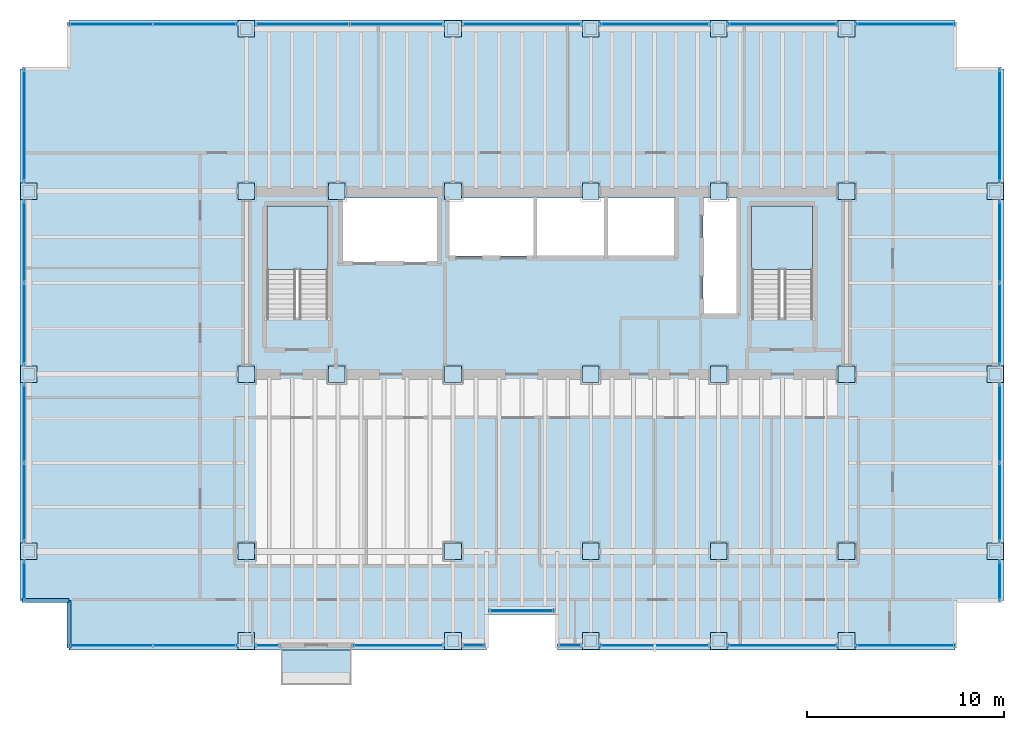
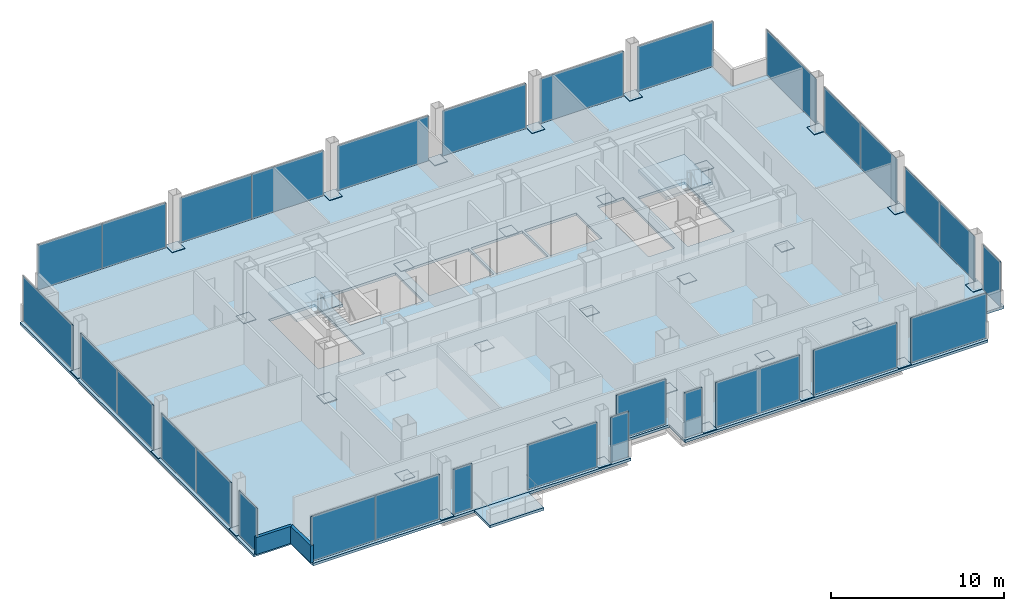
# One storey, part 17 of 21: 63 plates, 4 slabs, 2 walls, 7 openings, 25 elements without a shape of their own.
"""IFC4 building model written with IfcOpenShell, lengths in metres."""

from ifc_helpers import new_model, si_unit, direction, frame, frame_2d, origin, origin_2d, place, context, subcontext, project, spatial, polyline, rectangle, outline, extrude, material, layer, layer_set, type_object, element, aggregate, save


model = new_model("IFC4")

# Units and contexts
model_context = context("Model", 3, precision=1e-05, world=origin(), true_north=direction((0.0, 1.0)))
body_context = subcontext(model_context, "Body", "Model", "MODEL_VIEW")
ifc_project = project(units=[si_unit("LENGTHUNIT", "METRE"), si_unit("AREAUNIT", "SQUARE_METRE"), si_unit("VOLUMEUNIT", "CUBIC_METRE"), si_unit("PLANEANGLEUNIT", "RADIAN"), si_unit("MASSUNIT", "GRAM", prefix="KILO")], contexts=[model_context])

# Site, building, storey
site_placement = place(None, origin())
site = spatial("IfcSite", under=ifc_project, at=site_placement, CompositionType="ELEMENT")
building_placement = place(site_placement, origin())
building = spatial("IfcBuilding", under=site, at=building_placement, Name="Noeulbin Bourse Tower", CompositionType="ELEMENT")
storey_placement = place(building_placement, frame((0.0, 0.0, 38.199951171875)))
storey = spatial("IfcBuildingStorey", under=building, at=storey_placement, Name="L09", CompositionType="ELEMENT", Elevation=38.199951171875)

# Curtain wall, plate
ifc_material_1 = material(Name="Dark Solar-Control Double Glazing", Category="glass")
curtain_wall_type = type_object("IfcCurtainWallType", Name="CW-SYS-2", PredefinedType="NOTDEFINED", material=ifc_material_1)
curtain_wall_1_placement = place(storey_placement, origin())
curtain_wall_1 = element("IfcCurtainWall", 1, at=curtain_wall_1_placement, inside=storey, type_object=curtain_wall_type, Name="Unitised Curtain Wall CW-L09-SREC", PredefinedType="NOTDEFINED")
ifc_layer_1 = layer(ifc_material_1, 0.035888671875)
ifc_layer_set_1 = layer_set([ifc_layer_1], Name="Dark Solar-Control Double Glazing")
plate_type_1 = type_object("IfcPlateType", Name="CW-SYS-2-PNL", PredefinedType="CURTAIN_PANEL", material=ifc_layer_set_1)
plate_1_placement = place(storey_placement, frame((27.5, 16.97998046875, 0.0), z_axis=(0.0, 0.0, 1.0), x_axis=(1.0, 0.0, 0.0)))
plate_1 = element("IfcPlate", 2, at=plate_1_placement, type_object=plate_type_1, Name="Glazed Curtain Panel CW-L09-SREC-P00", PredefinedType="CURTAIN_PANEL", context=body_context, shape_type="SweptSolid", body=[
    extrude(rectangle(XDim=3.300048828125, YDim=0.035888671875, at=origin_2d()), origin(), (0.0, 0.0, 1.0), 3.179931640625),
])
aggregate(curtain_wall_1, [plate_1])

# Curtain wall, plates
curtain_wall_2_placement = place(storey_placement, origin())
curtain_wall_2 = element("IfcCurtainWall", 3, at=curtain_wall_2_placement, inside=storey, type_object=curtain_wall_type, Name="Unitised Curtain Wall CW-L09-S1-S1", PredefinedType="NOTDEFINED")
plate_2_placement = place(storey_placement, frame((6.6201171875, 15.219970703125, 0.0), z_axis=(0.0, 0.0, 1.0), x_axis=(1.0, 0.0, 0.0)))
plate_2 = element("IfcPlate", 4, at=plate_2_placement, type_object=plate_type_1, Name="Glazed Curtain Panel CW-L09-S1-S1-P00", PredefinedType="CURTAIN_PANEL", context=body_context, shape_type="SweptSolid", body=[
    extrude(rectangle(XDim=4.280029296875, YDim=0.035888671875, at=origin_2d()), origin(), (0.0, 0.0, 1.0), 3.179931640625),
])
plate_3_placement = place(storey_placement, frame((10.89990234375, 15.219970703125, 0.0), z_axis=(0.0, 0.0, 1.0), x_axis=(1.0, 0.0, 0.0)))
plate_3 = element("IfcPlate", 5, at=plate_3_placement, type_object=plate_type_1, Name="Glazed Curtain Panel CW-L09-S1-S1-P01", PredefinedType="CURTAIN_PANEL", context=body_context, shape_type="SweptSolid", body=[
    extrude(rectangle(XDim=4.280029296875, YDim=0.035888671875, at=origin_2d()), origin(), (0.0, 0.0, 1.0), 3.179931640625),
])
aggregate(curtain_wall_2, [plate_2, plate_3])

# Curtain wall, plate
curtain_wall_3_placement = place(storey_placement, origin())
curtain_wall_3 = element("IfcCurtainWall", 6, at=curtain_wall_3_placement, inside=storey, type_object=curtain_wall_type, Name="Unitised Curtain Wall CW-L09-S1-S2", PredefinedType="NOTDEFINED")
plate_4_placement = place(storey_placement, frame((14.580078125, 15.219970703125, 0.0), z_axis=(0.0, 0.0, 1.0), x_axis=(1.0, 0.0, 0.0)))
plate_4 = element("IfcPlate", 7, at=plate_4_placement, type_object=plate_type_1, Name="Glazed Curtain Panel CW-L09-S1-S2-P00", PredefinedType="CURTAIN_PANEL", context=body_context, shape_type="SweptSolid", body=[
    extrude(rectangle(XDim=1.239990234375, YDim=0.035888671875, at=origin_2d()), origin(), (0.0, 0.0, 1.0), 3.179931640625),
])
aggregate(curtain_wall_3, [plate_4])

curtain_wall_4_placement = place(storey_placement, origin())
curtain_wall_4 = element("IfcCurtainWall", 8, at=curtain_wall_4_placement, inside=storey, type_object=curtain_wall_type, Name="Unitised Curtain Wall CW-L09-S2-S1", PredefinedType="NOTDEFINED")
plate_5_placement = place(storey_placement, frame((21.219970703125, 15.219970703125, 0.0), z_axis=(0.0, 0.0, 1.0), x_axis=(1.0, 0.0, 0.0)))
plate_5 = element("IfcPlate", 9, at=plate_5_placement, type_object=plate_type_1, Name="Glazed Curtain Panel CW-L09-S2-S1-P00", PredefinedType="CURTAIN_PANEL", context=body_context, shape_type="SweptSolid", body=[
    extrude(rectangle(XDim=4.639892578125, YDim=0.035888671875, at=origin_2d()), origin(), (0.0, 0.0, 1.0), 3.179931640625),
])
aggregate(curtain_wall_4, [plate_5])

curtain_wall_5_placement = place(storey_placement, origin())
curtain_wall_5 = element("IfcCurtainWall", 10, at=curtain_wall_5_placement, inside=storey, type_object=curtain_wall_type, Name="Unitised Curtain Wall CW-L09-S2-S2", PredefinedType="NOTDEFINED")
plate_6_placement = place(storey_placement, frame((25.054931640625, 15.219970703125, 0.0), z_axis=(0.0, 0.0, 1.0), x_axis=(1.0, 0.0, 0.0)))
plate_6 = element("IfcPlate", 11, at=plate_6_placement, type_object=plate_type_1, Name="Glazed Curtain Panel CW-L09-S2-S2-P00", PredefinedType="CURTAIN_PANEL", context=body_context, shape_type="SweptSolid", body=[
    extrude(rectangle(XDim=1.18994140625, YDim=0.035888671875, at=origin_2d()), origin(), (0.0, 0.0, 1.0), 3.179931640625),
])
aggregate(curtain_wall_5, [plate_6])

curtain_wall_6_placement = place(storey_placement, origin())
curtain_wall_6 = element("IfcCurtainWall", 12, at=curtain_wall_6_placement, inside=storey, type_object=curtain_wall_type, Name="Unitised Curtain Wall CW-L09-S3-S1", PredefinedType="NOTDEFINED")
plate_7_placement = place(storey_placement, frame((29.945068359375, 15.219970703125, 0.0), z_axis=(0.0, 0.0, 1.0), x_axis=(1.0, 0.0, 0.0)))
plate_7 = element("IfcPlate", 13, at=plate_7_placement, type_object=plate_type_1, Name="Glazed Curtain Panel CW-L09-S3-S1-P00", PredefinedType="CURTAIN_PANEL", context=body_context, shape_type="SweptSolid", body=[
    extrude(rectangle(XDim=1.18994140625, YDim=0.035888671875, at=origin_2d()), origin(), (0.0, 0.0, 1.0), 3.179931640625),
])
aggregate(curtain_wall_6, [plate_7])

curtain_wall_7_placement = place(storey_placement, origin())
curtain_wall_7 = element("IfcCurtainWall", 14, at=curtain_wall_7_placement, inside=storey, type_object=curtain_wall_type, Name="Unitised Curtain Wall CW-L09-S3-S2", PredefinedType="NOTDEFINED")
plate_8_placement = place(storey_placement, frame((34.25, 15.219970703125, 0.0), z_axis=(0.0, 0.0, 1.0), x_axis=(1.0, 0.0, 0.0)))
plate_8 = element("IfcPlate", 15, at=plate_8_placement, type_object=plate_type_1, Name="Glazed Curtain Panel CW-L09-S3-S2-P00", PredefinedType="CURTAIN_PANEL", context=body_context, shape_type="SweptSolid", body=[
    extrude(rectangle(XDim=5.580078125, YDim=0.035888671875, at=origin_2d()), origin(), (0.0, 0.0, 1.0), 3.179931640625),
])
aggregate(curtain_wall_7, [plate_8])

curtain_wall_8_placement = place(storey_placement, origin())
curtain_wall_8 = element("IfcCurtainWall", 16, at=curtain_wall_8_placement, inside=storey, type_object=curtain_wall_type, Name="Unitised Curtain Wall CW-L09-S3-S3", PredefinedType="NOTDEFINED")
plate_9_placement = place(storey_placement, frame((40.75, 15.219970703125, 0.0), z_axis=(0.0, 0.0, 1.0), x_axis=(1.0, 0.0, 0.0)))
plate_9 = element("IfcPlate", 17, at=plate_9_placement, type_object=plate_type_1, Name="Glazed Curtain Panel CW-L09-S3-S3-P00", PredefinedType="CURTAIN_PANEL", context=body_context, shape_type="SweptSolid", body=[
    extrude(rectangle(XDim=5.580078125, YDim=0.035888671875, at=origin_2d()), origin(), (0.0, 0.0, 1.0), 3.179931640625),
])
aggregate(curtain_wall_8, [plate_9])

curtain_wall_9_placement = place(storey_placement, origin())
curtain_wall_9 = element("IfcCurtainWall", 18, at=curtain_wall_9_placement, inside=storey, type_object=curtain_wall_type, Name="Unitised Curtain Wall CW-L09-S3-S4", PredefinedType="NOTDEFINED")
plate_10_placement = place(storey_placement, frame((46.989990234375, 15.219970703125, 0.0), z_axis=(0.0, 0.0, 1.0), x_axis=(1.0, 0.0, 0.0)))
plate_10 = element("IfcPlate", 19, at=plate_10_placement, type_object=plate_type_1, Name="Glazed Curtain Panel CW-L09-S3-S4-P00", PredefinedType="CURTAIN_PANEL", context=body_context, shape_type="SweptSolid", body=[
    extrude(rectangle(XDim=5.06005859375, YDim=0.035888671875, at=origin_2d()), origin(), (0.0, 0.0, 1.0), 3.179931640625),
])
aggregate(curtain_wall_9, [plate_10])

# Curtain wall, plates
curtain_wall_10_placement = place(storey_placement, origin())
curtain_wall_10 = element("IfcCurtainWall", 20, at=curtain_wall_10_placement, inside=storey, type_object=curtain_wall_type, Name="Unitised Curtain Wall CW-L09-N-S1", PredefinedType="NOTDEFINED")
plate_11_placement = place(storey_placement, frame((6.6201171875, 46.780029296875, 0.0), z_axis=(0.0, 0.0, 1.0), x_axis=(1.0, 0.0, 0.0)))
plate_11 = element("IfcPlate", 21, at=plate_11_placement, type_object=plate_type_1, Name="Glazed Curtain Panel CW-L09-N-S1-P00", PredefinedType="CURTAIN_PANEL", context=body_context, shape_type="SweptSolid", body=[
    extrude(rectangle(XDim=4.280029296875, YDim=0.035888671875, at=origin_2d()), origin(), (0.0, 0.0, 1.0), 3.179931640625),
])
plate_12_placement = place(storey_placement, frame((10.89990234375, 46.780029296875, 0.0), z_axis=(0.0, 0.0, 1.0), x_axis=(1.0, 0.0, 0.0)))
plate_12 = element("IfcPlate", 22, at=plate_12_placement, type_object=plate_type_1, Name="Glazed Curtain Panel CW-L09-N-S1-P01", PredefinedType="CURTAIN_PANEL", context=body_context, shape_type="SweptSolid", body=[
    extrude(rectangle(XDim=4.280029296875, YDim=0.035888671875, at=origin_2d()), origin(), (0.0, 0.0, 1.0), 3.179931640625),
])
aggregate(curtain_wall_10, [plate_11, plate_12])

curtain_wall_11_placement = place(storey_placement, origin())
curtain_wall_11 = element("IfcCurtainWall", 23, at=curtain_wall_11_placement, inside=storey, type_object=curtain_wall_type, Name="Unitised Curtain Wall CW-L09-N-S2", PredefinedType="NOTDEFINED")
plate_13_placement = place(storey_placement, frame((16.35498046875, 46.780029296875, 0.0), z_axis=(0.0, 0.0, 1.0), x_axis=(1.0, 0.0, 0.0)))
plate_13 = element("IfcPlate", 24, at=plate_13_placement, type_object=plate_type_1, Name="Glazed Curtain Panel CW-L09-N-S2-P00", PredefinedType="CURTAIN_PANEL", context=body_context, shape_type="SweptSolid", body=[
    extrude(rectangle(XDim=4.7900390625, YDim=0.035888671875, at=origin_2d()), origin(), (0.0, 0.0, 1.0), 3.179931640625),
])
plate_14_placement = place(storey_placement, frame((21.14501953125, 46.780029296875, 0.0), z_axis=(0.0, 0.0, 1.0), x_axis=(1.0, 0.0, 0.0)))
plate_14 = element("IfcPlate", 25, at=plate_14_placement, type_object=plate_type_1, Name="Glazed Curtain Panel CW-L09-N-S2-P01", PredefinedType="CURTAIN_PANEL", context=body_context, shape_type="SweptSolid", body=[
    extrude(rectangle(XDim=4.7900390625, YDim=0.035888671875, at=origin_2d()), origin(), (0.0, 0.0, 1.0), 3.179931640625),
])
aggregate(curtain_wall_11, [plate_13, plate_14])

# Curtain wall, plate
curtain_wall_12_placement = place(storey_placement, origin())
curtain_wall_12 = element("IfcCurtainWall", 26, at=curtain_wall_12_placement, inside=storey, type_object=curtain_wall_type, Name="Unitised Curtain Wall CW-L09-N-S3", PredefinedType="NOTDEFINED")
plate_15_placement = place(storey_placement, frame((27.5, 46.780029296875, 0.0), z_axis=(0.0, 0.0, 1.0), x_axis=(1.0, 0.0, 0.0)))
plate_15 = element("IfcPlate", 27, at=plate_15_placement, type_object=plate_type_1, Name="Glazed Curtain Panel CW-L09-N-S3-P00", PredefinedType="CURTAIN_PANEL", context=body_context, shape_type="SweptSolid", body=[
    extrude(rectangle(XDim=6.080078125, YDim=0.035888671875, at=origin_2d()), origin(), (0.0, 0.0, 1.0), 3.179931640625),
])
aggregate(curtain_wall_12, [plate_15])

curtain_wall_13_placement = place(storey_placement, origin())
curtain_wall_13 = element("IfcCurtainWall", 28, at=curtain_wall_13_placement, inside=storey, type_object=curtain_wall_type, Name="Unitised Curtain Wall CW-L09-N-S4", PredefinedType="NOTDEFINED")
plate_16_placement = place(storey_placement, frame((34.25, 46.780029296875, 0.0), z_axis=(0.0, 0.0, 1.0), x_axis=(1.0, 0.0, 0.0)))
plate_16 = element("IfcPlate", 29, at=plate_16_placement, type_object=plate_type_1, Name="Glazed Curtain Panel CW-L09-N-S4-P00", PredefinedType="CURTAIN_PANEL", context=body_context, shape_type="SweptSolid", body=[
    extrude(rectangle(XDim=5.580078125, YDim=0.035888671875, at=origin_2d()), origin(), (0.0, 0.0, 1.0), 3.179931640625),
])
aggregate(curtain_wall_13, [plate_16])

curtain_wall_14_placement = place(storey_placement, origin())
curtain_wall_14 = element("IfcCurtainWall", 30, at=curtain_wall_14_placement, inside=storey, type_object=curtain_wall_type, Name="Unitised Curtain Wall CW-L09-N-S5", PredefinedType="NOTDEFINED")
plate_17_placement = place(storey_placement, frame((40.75, 46.780029296875, 0.0), z_axis=(0.0, 0.0, 1.0), x_axis=(1.0, 0.0, 0.0)))
plate_17 = element("IfcPlate", 31, at=plate_17_placement, type_object=plate_type_1, Name="Glazed Curtain Panel CW-L09-N-S5-P00", PredefinedType="CURTAIN_PANEL", context=body_context, shape_type="SweptSolid", body=[
    extrude(rectangle(XDim=5.580078125, YDim=0.035888671875, at=origin_2d()), origin(), (0.0, 0.0, 1.0), 3.179931640625),
])
aggregate(curtain_wall_14, [plate_17])

curtain_wall_15_placement = place(storey_placement, origin())
curtain_wall_15 = element("IfcCurtainWall", 32, at=curtain_wall_15_placement, inside=storey, type_object=curtain_wall_type, Name="Unitised Curtain Wall CW-L09-N-S6", PredefinedType="NOTDEFINED")
plate_18_placement = place(storey_placement, frame((46.989990234375, 46.780029296875, 0.0), z_axis=(0.0, 0.0, 1.0), x_axis=(1.0, 0.0, 0.0)))
plate_18 = element("IfcPlate", 33, at=plate_18_placement, type_object=plate_type_1, Name="Glazed Curtain Panel CW-L09-N-S6-P00", PredefinedType="CURTAIN_PANEL", context=body_context, shape_type="SweptSolid", body=[
    extrude(rectangle(XDim=5.06005859375, YDim=0.035888671875, at=origin_2d()), origin(), (0.0, 0.0, 1.0), 3.179931640625),
])
aggregate(curtain_wall_15, [plate_18])

curtain_wall_16_placement = place(storey_placement, origin())
curtain_wall_16 = element("IfcCurtainWall", 34, at=curtain_wall_16_placement, inside=storey, type_object=curtain_wall_type, Name="Unitised Curtain Wall CW-L09-W-S1", PredefinedType="NOTDEFINED")
plate_19_placement = place(storey_placement, frame((2.219970703125, 18.510009765625, 0.0), z_axis=(0.0, 0.0, 1.0), x_axis=(0.0, 1.0, 0.0)))
plate_19 = element("IfcPlate", 35, at=plate_19_placement, type_object=plate_type_1, Name="Glazed Curtain Panel CW-L09-W-S1-P00", PredefinedType="CURTAIN_PANEL", context=body_context, shape_type="SweptSolid", body=[
    extrude(rectangle(XDim=2.06005859375, YDim=0.035888671875, at=origin_2d()), origin(), (0.0, 0.0, 1.0), 3.179931640625),
])
aggregate(curtain_wall_16, [plate_19])

# Curtain wall, plates
curtain_wall_17_placement = place(storey_placement, origin())
curtain_wall_17 = element("IfcCurtainWall", 36, at=curtain_wall_17_placement, inside=storey, type_object=curtain_wall_type, Name="Unitised Curtain Wall CW-L09-W-S2", PredefinedType="NOTDEFINED")
plate_20_placement = place(storey_placement, frame((2.219970703125, 22.47998046875, 0.0), z_axis=(0.0, 0.0, 1.0), x_axis=(0.0, 1.0, 0.0)))
plate_20 = element("IfcPlate", 37, at=plate_20_placement, type_object=plate_type_1, Name="Glazed Curtain Panel CW-L09-W-S2-P00", PredefinedType="CURTAIN_PANEL", context=body_context, shape_type="SweptSolid", body=[
    extrude(rectangle(XDim=4.0400390625, YDim=0.035888671875, at=origin_2d()), origin(), (0.0, 0.0, 1.0), 3.179931640625),
])
plate_21_placement = place(storey_placement, frame((2.219970703125, 26.52001953125, 0.0), z_axis=(0.0, 0.0, 1.0), x_axis=(0.0, 1.0, 0.0)))
plate_21 = element("IfcPlate", 38, at=plate_21_placement, type_object=plate_type_1, Name="Glazed Curtain Panel CW-L09-W-S2-P01", PredefinedType="CURTAIN_PANEL", context=body_context, shape_type="SweptSolid", body=[
    extrude(rectangle(XDim=4.0400390625, YDim=0.035888671875, at=origin_2d()), origin(), (0.0, 0.0, 1.0), 3.179931640625),
])
aggregate(curtain_wall_17, [plate_20, plate_21])

curtain_wall_18_placement = place(storey_placement, origin())
curtain_wall_18 = element("IfcCurtainWall", 39, at=curtain_wall_18_placement, inside=storey, type_object=curtain_wall_type, Name="Unitised Curtain Wall CW-L09-W-S3", PredefinedType="NOTDEFINED")
plate_22_placement = place(storey_placement, frame((2.219970703125, 31.554931640625, 0.0), z_axis=(0.0, 0.0, 1.0), x_axis=(0.0, 1.0, 0.0)))
plate_22 = element("IfcPlate", 40, at=plate_22_placement, type_object=plate_type_1, Name="Glazed Curtain Panel CW-L09-W-S3-P00", PredefinedType="CURTAIN_PANEL", context=body_context, shape_type="SweptSolid", body=[
    extrude(rectangle(XDim=4.18994140625, YDim=0.035888671875, at=origin_2d()), origin(), (0.0, 0.0, 1.0), 3.179931640625),
])
plate_23_placement = place(storey_placement, frame((2.219970703125, 35.7451171875, 0.0), z_axis=(0.0, 0.0, 1.0), x_axis=(0.0, 1.0, 0.0)))
plate_23 = element("IfcPlate", 41, at=plate_23_placement, type_object=plate_type_1, Name="Glazed Curtain Panel CW-L09-W-S3-P01", PredefinedType="CURTAIN_PANEL", context=body_context, shape_type="SweptSolid", body=[
    extrude(rectangle(XDim=4.18994140625, YDim=0.035888671875, at=origin_2d()), origin(), (0.0, 0.0, 1.0), 3.179931640625),
])
aggregate(curtain_wall_18, [plate_22, plate_23])

# Curtain wall, plate
curtain_wall_19_placement = place(storey_placement, origin())
curtain_wall_19 = element("IfcCurtainWall", 42, at=curtain_wall_19_placement, inside=storey, type_object=curtain_wall_type, Name="Unitised Curtain Wall CW-L09-W-S4", PredefinedType="NOTDEFINED")
plate_24_placement = place(storey_placement, frame((2.219970703125, 41.639892578125, 0.0), z_axis=(0.0, 0.0, 1.0), x_axis=(0.0, 1.0, 0.0)))
plate_24 = element("IfcPlate", 43, at=plate_24_placement, type_object=plate_type_1, Name="Glazed Curtain Panel CW-L09-W-S4-P00", PredefinedType="CURTAIN_PANEL", context=body_context, shape_type="SweptSolid", body=[
    extrude(rectangle(XDim=5.760009765625, YDim=0.035888671875, at=origin_2d()), origin(), (0.0, 0.0, 1.0), 3.179931640625),
])
aggregate(curtain_wall_19, [plate_24])

curtain_wall_20_placement = place(storey_placement, origin())
curtain_wall_20 = element("IfcCurtainWall", 44, at=curtain_wall_20_placement, inside=storey, type_object=curtain_wall_type, Name="Unitised Curtain Wall CW-L09-E-S1", PredefinedType="NOTDEFINED")
plate_25_placement = place(storey_placement, frame((51.780029296875, 18.510009765625, 0.0), z_axis=(0.0, 0.0, 1.0), x_axis=(0.0, 1.0, 0.0)))
plate_25 = element("IfcPlate", 45, at=plate_25_placement, type_object=plate_type_1, Name="Glazed Curtain Panel CW-L09-E-S1-P00", PredefinedType="CURTAIN_PANEL", context=body_context, shape_type="SweptSolid", body=[
    extrude(rectangle(XDim=2.06005859375, YDim=0.035888671875, at=origin_2d()), origin(), (0.0, 0.0, 1.0), 3.179931640625),
])
aggregate(curtain_wall_20, [plate_25])

# Curtain wall, plates
curtain_wall_21_placement = place(storey_placement, origin())
curtain_wall_21 = element("IfcCurtainWall", 46, at=curtain_wall_21_placement, inside=storey, type_object=curtain_wall_type, Name="Unitised Curtain Wall CW-L09-E-S2", PredefinedType="NOTDEFINED")
plate_26_placement = place(storey_placement, frame((51.780029296875, 22.47998046875, 0.0), z_axis=(0.0, 0.0, 1.0), x_axis=(0.0, 1.0, 0.0)))
plate_26 = element("IfcPlate", 47, at=plate_26_placement, type_object=plate_type_1, Name="Glazed Curtain Panel CW-L09-E-S2-P00", PredefinedType="CURTAIN_PANEL", context=body_context, shape_type="SweptSolid", body=[
    extrude(rectangle(XDim=4.0400390625, YDim=0.035888671875, at=origin_2d()), origin(), (0.0, 0.0, 1.0), 3.179931640625),
])
plate_27_placement = place(storey_placement, frame((51.780029296875, 26.52001953125, 0.0), z_axis=(0.0, 0.0, 1.0), x_axis=(0.0, 1.0, 0.0)))
plate_27 = element("IfcPlate", 48, at=plate_27_placement, type_object=plate_type_1, Name="Glazed Curtain Panel CW-L09-E-S2-P01", PredefinedType="CURTAIN_PANEL", context=body_context, shape_type="SweptSolid", body=[
    extrude(rectangle(XDim=4.0400390625, YDim=0.035888671875, at=origin_2d()), origin(), (0.0, 0.0, 1.0), 3.179931640625),
])
aggregate(curtain_wall_21, [plate_26, plate_27])

curtain_wall_22_placement = place(storey_placement, origin())
curtain_wall_22 = element("IfcCurtainWall", 49, at=curtain_wall_22_placement, inside=storey, type_object=curtain_wall_type, Name="Unitised Curtain Wall CW-L09-E-S3", PredefinedType="NOTDEFINED")
plate_28_placement = place(storey_placement, frame((51.780029296875, 31.554931640625, 0.0), z_axis=(0.0, 0.0, 1.0), x_axis=(0.0, 1.0, 0.0)))
plate_28 = element("IfcPlate", 50, at=plate_28_placement, type_object=plate_type_1, Name="Glazed Curtain Panel CW-L09-E-S3-P00", PredefinedType="CURTAIN_PANEL", context=body_context, shape_type="SweptSolid", body=[
    extrude(rectangle(XDim=4.18994140625, YDim=0.035888671875, at=origin_2d()), origin(), (0.0, 0.0, 1.0), 3.179931640625),
])
plate_29_placement = place(storey_placement, frame((51.780029296875, 35.7451171875, 0.0), z_axis=(0.0, 0.0, 1.0), x_axis=(0.0, 1.0, 0.0)))
plate_29 = element("IfcPlate", 51, at=plate_29_placement, type_object=plate_type_1, Name="Glazed Curtain Panel CW-L09-E-S3-P01", PredefinedType="CURTAIN_PANEL", context=body_context, shape_type="SweptSolid", body=[
    extrude(rectangle(XDim=4.18994140625, YDim=0.035888671875, at=origin_2d()), origin(), (0.0, 0.0, 1.0), 3.179931640625),
])
aggregate(curtain_wall_22, [plate_28, plate_29])

# Curtain wall, plate
curtain_wall_23_placement = place(storey_placement, origin())
curtain_wall_23 = element("IfcCurtainWall", 52, at=curtain_wall_23_placement, inside=storey, type_object=curtain_wall_type, Name="Unitised Curtain Wall CW-L09-E-S4", PredefinedType="NOTDEFINED")
plate_30_placement = place(storey_placement, frame((51.780029296875, 41.639892578125, 0.0), z_axis=(0.0, 0.0, 1.0), x_axis=(0.0, 1.0, 0.0)))
plate_30 = element("IfcPlate", 53, at=plate_30_placement, type_object=plate_type_1, Name="Glazed Curtain Panel CW-L09-E-S4-P00", PredefinedType="CURTAIN_PANEL", context=body_context, shape_type="SweptSolid", body=[
    extrude(rectangle(XDim=5.760009765625, YDim=0.035888671875, at=origin_2d()), origin(), (0.0, 0.0, 1.0), 3.179931640625),
])
aggregate(curtain_wall_23, [plate_30])

# Plates
ifc_material_2 = material(Name="Steel S355", Category="steel")
ifc_layer_2 = layer(ifc_material_2, 0.030029296875)
ifc_layer_set_2 = layer_set([ifc_layer_2], Name="Steel S355")
plate_type_2 = type_object("IfcPlateType", Name="PLT-BN1", PredefinedType="USERDEFINED", material=ifc_layer_set_2)
for number, where, z_axis, x_axis, name in (
    (54, (13.5, 29.0, 0.0048828125), (0.0, 0.0, 1.0), (1.0, 0.0, 0.0), "Mega-Column Splice Plate BN1-L09-01"),
    (55, (13.5, 38.300048828125, 0.0048828125), (0.0, 0.0, 1.0), (1.0, 0.0, 0.0), "Mega-Column Splice Plate BN1-L09-02"),
    (56, (18.10009765625, 29.0, 0.0048828125), (0.0, 0.0, 1.0), (1.0, 0.0, 0.0), "Mega-Column Splice Plate BN1-L09-03"),
    (57, (18.10009765625, 38.300048828125, 0.0048828125), (0.0, 0.0, 1.0), (1.0, 0.0, 0.0), "Mega-Column Splice Plate BN1-L09-04"),
    (58, (24.0, 29.0, 0.0048828125), (0.0, 0.0, 1.0), (1.0, 0.0, 0.0), "Mega-Column Splice Plate BN1-L09-05"),
    (59, (24.0, 38.300048828125, 0.0048828125), (0.0, 0.0, 1.0), (1.0, 0.0, 0.0), "Mega-Column Splice Plate BN1-L09-06"),
    (60, (31.0, 29.0, 0.0048828125), (0.0, 0.0, 1.0), (1.0, 0.0, 0.0), "Mega-Column Splice Plate BN1-L09-07"),
    (61, (31.0, 38.300048828125, 0.0048828125), (0.0, 0.0, 1.0), (1.0, 0.0, 0.0), "Mega-Column Splice Plate BN1-L09-08"),
    (62, (37.5, 29.0, 0.0048828125), (0.0, 0.0, 1.0), (1.0, 0.0, 0.0), "Mega-Column Splice Plate BN1-L09-09"),
    (63, (37.5, 38.300048828125, 0.0048828125), (0.0, 0.0, 1.0), (1.0, 0.0, 0.0), "Mega-Column Splice Plate BN1-L09-10"),
    (64, (44.0, 29.0, 0.0048828125), (0.0, 0.0, 1.0), (1.0, 0.0, 0.0), "Mega-Column Splice Plate BN1-L09-11"),
    (65, (44.0, 38.300048828125, 0.0048828125), (0.0, 0.0, 1.0), (1.0, 0.0, 0.0), "Mega-Column Splice Plate BN1-L09-12"),
    (66, (13.5, 20.0, 0.0048828125), (0.0, 0.0, 1.0), (1.0, 0.0, 0.0), "Mega-Column Splice Plate BN1-L09-13"),
    (67, (24.0, 20.0, 0.0048828125), (0.0, 0.0, 1.0), (1.0, 0.0, 0.0), "Mega-Column Splice Plate BN1-L09-14"),
    (68, (31.0, 20.0, 0.0048828125), (0.0, 0.0, 1.0), (1.0, 0.0, 0.0), "Mega-Column Splice Plate BN1-L09-15"),
    (69, (37.5, 20.0, 0.0048828125), (0.0, 0.0, 1.0), (1.0, 0.0, 0.0), "Mega-Column Splice Plate BN1-L09-16"),
    (70, (44.0, 20.0, 0.0048828125), (0.0, 0.0, 1.0), (1.0, 0.0, 0.0), "Mega-Column Splice Plate BN1-L09-17"),
    (71, (2.449951171875, 20.0, 0.0048828125), (0.0, 0.0, 1.0), (1.0, 0.0, 0.0), "Perimeter Column Splice Plate BN1-L09-01"),
    (72, (2.449951171875, 29.0, 0.0048828125), (0.0, 0.0, 1.0), (1.0, 0.0, 0.0), "Perimeter Column Splice Plate BN1-L09-02"),
    (73, (2.449951171875, 38.300048828125, 0.0048828125), (0.0, 0.0, 1.0), (1.0, 0.0, 0.0), "Perimeter Column Splice Plate BN1-L09-03"),
    (74, (13.5, 15.449951171875, 0.0048828125), (0.0, 0.0, 1.0), (1.0, 0.0, 0.0), "Perimeter Column Splice Plate BN1-L09-04"),
    (75, (13.5, 46.550048828125, 0.0048828125), (0.0, 0.0, 1.0), (1.0, 0.0, 0.0), "Perimeter Column Splice Plate BN1-L09-05"),
    (76, (24.0, 15.449951171875, 0.0048828125), (0.0, 0.0, 1.0), (1.0, 0.0, 0.0), "Perimeter Column Splice Plate BN1-L09-06"),
    (77, (24.0, 46.550048828125, 0.0048828125), (0.0, 0.0, 1.0), (1.0, 0.0, 0.0), "Perimeter Column Splice Plate BN1-L09-07"),
    (78, (31.0, 15.449951171875, 0.0048828125), (0.0, 0.0, 1.0), (1.0, 0.0, 0.0), "Perimeter Column Splice Plate BN1-L09-08"),
    (79, (31.0, 46.550048828125, 0.0048828125), (0.0, 0.0, 1.0), (1.0, 0.0, 0.0), "Perimeter Column Splice Plate BN1-L09-09"),
    (80, (37.5, 15.449951171875, 0.0048828125), (0.0, 0.0, 1.0), (1.0, 0.0, 0.0), "Perimeter Column Splice Plate BN1-L09-10"),
    (81, (37.5, 46.550048828125, 0.0048828125), (0.0, 0.0, 1.0), (1.0, 0.0, 0.0), "Perimeter Column Splice Plate BN1-L09-11"),
    (82, (44.0, 15.449951171875, 0.0048828125), (0.0, 0.0, 1.0), (1.0, 0.0, 0.0), "Perimeter Column Splice Plate BN1-L09-12"),
    (83, (44.0, 46.550048828125, 0.0048828125), (0.0, 0.0, 1.0), (1.0, 0.0, 0.0), "Perimeter Column Splice Plate BN1-L09-13"),
    (84, (51.550048828125, 20.0, 0.0048828125), (0.0, 0.0, 1.0), (1.0, 0.0, 0.0), "Perimeter Column Splice Plate BN1-L09-14"),
    (85, (51.550048828125, 29.0, 0.0048828125), (0.0, 0.0, 1.0), (1.0, 0.0, 0.0), "Perimeter Column Splice Plate BN1-L09-15"),
    (86, (51.550048828125, 38.300048828125, 0.0048828125), (0.0, 0.0, 1.0), (1.0, 0.0, 0.0), "Perimeter Column Splice Plate BN1-L09-16"),
):
    element("IfcPlate", number, at=place(storey_placement, frame(where, z_axis=z_axis, x_axis=x_axis)), inside=storey, type_object=plate_type_2, Name=name, ObjectType="SPLICE PLATE", PredefinedType="USERDEFINED", context=body_context, shape_type="SweptSolid", body=[
        extrude(rectangle(XDim=0.85009765625, YDim=0.85009765625, at=origin_2d()), origin(), (0.0, 0.0, 1.0), 0.030029296875),
    ])

# Stair, slab
ifc_material_3 = material(Name="Concrete C40/50", Category="concrete")
stair_type = type_object("IfcStairType", Name="STR-CORE-1560", PredefinedType="HALF_TURN_STAIR", material=ifc_material_3)
stair_1_placement = place(storey_placement, origin())
stair_1 = element("IfcStair", 87, at=stair_1_placement, inside=storey, type_object=stair_type, Name="L09 ST-1", PredefinedType="HALF_TURN_STAIR")
ifc_layer_3 = layer(ifc_material_3, 0.199951171875)
ifc_layer_set_3 = layer_set([ifc_layer_3], Name="Concrete C40/50")
slab_type_1 = type_object("IfcSlabType", Name="SLB-LND-200", PredefinedType="LANDING", material=ifc_layer_set_3)
slab_1_placement = place(storey_placement, frame((0.0, 0.0, 1.75)))
slab_1 = element("IfcSlab", 88, at=slab_1_placement, type_object=slab_type_1, Name="ST-1 landing 1", PredefinedType="LANDING", context=body_context, shape_type="SweptSolid", body=[
    extrude(outline(polyline([(17.64990234375, 34.330078125), (17.64990234375, 37.5439453125), (14.550048828125, 37.5439453125), (14.550048828125, 34.330078125), (17.64990234375, 34.330078125)])), origin(), (0.0, 0.0, 1.0), 0.199951171875),
])
aggregate(stair_1, [slab_1])

stair_2_placement = place(storey_placement, origin())
stair_2 = element("IfcStair", 89, at=stair_2_placement, inside=storey, type_object=stair_type, Name="L09 ST-2", PredefinedType="HALF_TURN_STAIR")
slab_2_placement = place(storey_placement, frame((0.0, 0.0, 1.75)))
slab_2 = element("IfcSlab", 90, at=slab_2_placement, type_object=slab_type_1, Name="ST-2 landing 1", PredefinedType="LANDING", context=body_context, shape_type="SweptSolid", body=[
    extrude(outline(polyline([(42.280029296875, 34.330078125), (42.280029296875, 37.5439453125), (39.179931640625, 37.5439453125), (39.179931640625, 34.330078125), (42.280029296875, 34.330078125)])), origin(), (0.0, 0.0, 1.0), 0.199951171875),
])
aggregate(stair_2, [slab_2])

# Slab, openings
ifc_layer_4 = layer(ifc_material_3, 0.179931640625)
ifc_layer_set_4 = layer_set([ifc_layer_4], Name="Concrete C40/50")
slab_type_2 = type_object("IfcSlabType", Name="SLB-TYP-180", PredefinedType="FLOOR", material=ifc_layer_set_4)
slab_3_placement = place(storey_placement, frame((0.0, 0.0, -0.179931640625)))
slab_3 = element("IfcSlab", 91, at=slab_3_placement, inside=storey, type_object=slab_type_2, Name="Tower Structural Floor Slab L09", PredefinedType="FLOOR", context=body_context, shape_type="SweptSolid", body=[
    extrude(outline(polyline([(4.5, 15.0), (25.699951171875, 15.0), (25.699951171875, 16.800048828125), (29.300048828125, 16.800048828125), (29.300048828125, 15.0), (49.5, 15.0), (49.5, 17.5), (52.0, 17.5), (52.0, 44.5), (49.5, 44.5), (49.5, 47.0), (4.5, 47.0), (4.5, 44.5), (2.0, 44.5), (2.0, 17.5), (4.5, 17.5), (4.5, 15.0)]), holes=[polyline([(17.64990234375, 31.81005859375), (17.64990234375, 37.5439453125), (14.550048828125, 37.5439453125), (14.550048828125, 31.81005859375), (17.64990234375, 31.81005859375)]), polyline([(42.280029296875, 31.81005859375), (42.280029296875, 37.5439453125), (39.179931640625, 37.5439453125), (39.179931640625, 31.81005859375), (42.280029296875, 31.81005859375)]), polyline([(18.35009765625, 34.699951171875), (23.25, 34.699951171875), (23.25, 37.949951171875), (18.35009765625, 37.949951171875), (18.35009765625, 34.699951171875)]), polyline([(36.699951171875, 32.050048828125), (38.449951171875, 32.050048828125), (38.449951171875, 37.949951171875), (36.699951171875, 37.949951171875), (36.699951171875, 32.050048828125)]), polyline([(23.800048828125, 35.0), (28.10009765625, 35.0), (28.10009765625, 37.949951171875), (23.800048828125, 37.949951171875), (23.800048828125, 35.0)]), polyline([(28.25, 35.0), (31.699951171875, 35.0), (31.699951171875, 37.949951171875), (28.25, 37.949951171875), (28.25, 35.0)]), polyline([(31.85009765625, 35.0), (35.300048828125, 35.0), (35.300048828125, 37.949951171875), (31.85009765625, 37.949951171875), (31.85009765625, 35.0)])]), origin(), (0.0, 0.0, 1.0), 0.179931640625),
])
opening_1_placement = place(slab_3_placement, frame((0.0, 0.0, -0.010009765625)))
element("IfcOpeningElement", 92, at=opening_1_placement, cuts=slab_3, Name="Slab Shaft Opening SLB-L09-TWR-1", PredefinedType="OPENING", context=body_context, shape_type="SweptSolid", body=[
    extrude(outline(polyline([(17.64990234375, 31.81005859375), (17.64990234375, 37.5439453125), (14.550048828125, 37.5439453125), (14.550048828125, 31.81005859375), (17.64990234375, 31.81005859375)])), origin(), (0.0, 0.0, 1.0), 0.199951171875),
])
opening_2_placement = place(slab_3_placement, frame((0.0, 0.0, -0.010009765625)))
element("IfcOpeningElement", 93, at=opening_2_placement, cuts=slab_3, Name="Slab Shaft Opening SLB-L09-TWR-2", PredefinedType="OPENING", context=body_context, shape_type="SweptSolid", body=[
    extrude(outline(polyline([(42.280029296875, 31.81005859375), (42.280029296875, 37.5439453125), (39.179931640625, 37.5439453125), (39.179931640625, 31.81005859375), (42.280029296875, 31.81005859375)])), origin(), (0.0, 0.0, 1.0), 0.199951171875),
])
opening_3_placement = place(slab_3_placement, frame((0.0, 0.0, -0.010009765625)))
element("IfcOpeningElement", 94, at=opening_3_placement, cuts=slab_3, Name="Slab Shaft Opening SLB-L09-TWR-3", PredefinedType="OPENING", context=body_context, shape_type="SweptSolid", body=[
    extrude(outline(polyline([(18.35009765625, 34.699951171875), (23.25, 34.699951171875), (23.25, 37.949951171875), (18.35009765625, 37.949951171875), (18.35009765625, 34.699951171875)])), origin(), (0.0, 0.0, 1.0), 0.199951171875),
])
opening_4_placement = place(slab_3_placement, frame((0.0, 0.0, -0.010009765625)))
element("IfcOpeningElement", 95, at=opening_4_placement, cuts=slab_3, Name="Slab Shaft Opening SLB-L09-TWR-4", PredefinedType="OPENING", context=body_context, shape_type="SweptSolid", body=[
    extrude(outline(polyline([(36.699951171875, 32.050048828125), (38.449951171875, 32.050048828125), (38.449951171875, 37.949951171875), (36.699951171875, 37.949951171875), (36.699951171875, 32.050048828125)])), origin(), (0.0, 0.0, 1.0), 0.199951171875),
])
opening_5_placement = place(slab_3_placement, frame((0.0, 0.0, -0.010009765625)))
element("IfcOpeningElement", 96, at=opening_5_placement, cuts=slab_3, Name="Slab Shaft Opening SLB-L09-TWR-5", PredefinedType="OPENING", context=body_context, shape_type="SweptSolid", body=[
    extrude(outline(polyline([(23.800048828125, 35.0), (28.10009765625, 35.0), (28.10009765625, 37.949951171875), (23.800048828125, 37.949951171875), (23.800048828125, 35.0)])), origin(), (0.0, 0.0, 1.0), 0.199951171875),
])
opening_6_placement = place(slab_3_placement, frame((0.0, 0.0, -0.010009765625)))
element("IfcOpeningElement", 97, at=opening_6_placement, cuts=slab_3, Name="Slab Shaft Opening SLB-L09-TWR-6", PredefinedType="OPENING", context=body_context, shape_type="SweptSolid", body=[
    extrude(outline(polyline([(28.25, 35.0), (31.699951171875, 35.0), (31.699951171875, 37.949951171875), (28.25, 37.949951171875), (28.25, 35.0)])), origin(), (0.0, 0.0, 1.0), 0.199951171875),
])
opening_7_placement = place(slab_3_placement, frame((0.0, 0.0, -0.010009765625)))
element("IfcOpeningElement", 98, at=opening_7_placement, cuts=slab_3, Name="Slab Shaft Opening SLB-L09-TWR-7", PredefinedType="OPENING", context=body_context, shape_type="SweptSolid", body=[
    extrude(outline(polyline([(31.85009765625, 35.0), (35.300048828125, 35.0), (35.300048828125, 37.949951171875), (31.85009765625, 37.949951171875), (31.85009765625, 35.0)])), origin(), (0.0, 0.0, 1.0), 0.199951171875),
])

# Slab
slab_4_placement = place(storey_placement, frame((0.0, 0.0, -0.179931640625)))
element("IfcSlab", 99, at=slab_4_placement, inside=storey, type_object=slab_type_2, Name="Cantilevered Tree-Balcony Slab L09", PredefinedType="FLOOR", context=body_context, shape_type="SweptSolid", body=[
    extrude(outline(polyline([(15.25, 13.199951171875), (18.85009765625, 13.199951171875), (18.85009765625, 15.0), (15.25, 15.0), (15.25, 13.199951171875)])), origin(), (0.0, 0.0, 1.0), 0.179931640625),
])

# Walls
ifc_layer_5 = layer(ifc_material_3, 0.199951171875)
ifc_layer_set_5 = layer_set([ifc_layer_5], Name="Concrete C40/50")
wall_type = type_object("IfcWallType", Name="WAL-PAR-200", PredefinedType="PARAPET", material=ifc_layer_set_5)
for number, where, z_axis, x_axis, name in (
    (100, (2.10009765625, 17.5, 0.0), (0.0, 0.0, 1.0), (1.0, 0.0, 0.0), "Corner Notch Parapet L09-SW1"),
    (101, (4.5, 17.5, 0.0), (0.0, 0.0, 1.0), (0.0, -1.0, 0.0), "Corner Notch Parapet L09-SW2"),
):
    element("IfcWall", number, at=place(storey_placement, frame(where, z_axis=z_axis, x_axis=x_axis)), inside=storey, type_object=wall_type, Name=name, PredefinedType="PARAPET", context=body_context, shape_type="SweptSolid", body=[
        extrude(rectangle(XDim=2.39990234375, YDim=0.199951171875, at=frame_2d((1.199951171875, 0.0))), origin(), (0.0, 0.0, 1.0), 1.199951171875),
    ])

save(model, "model.ifc")
